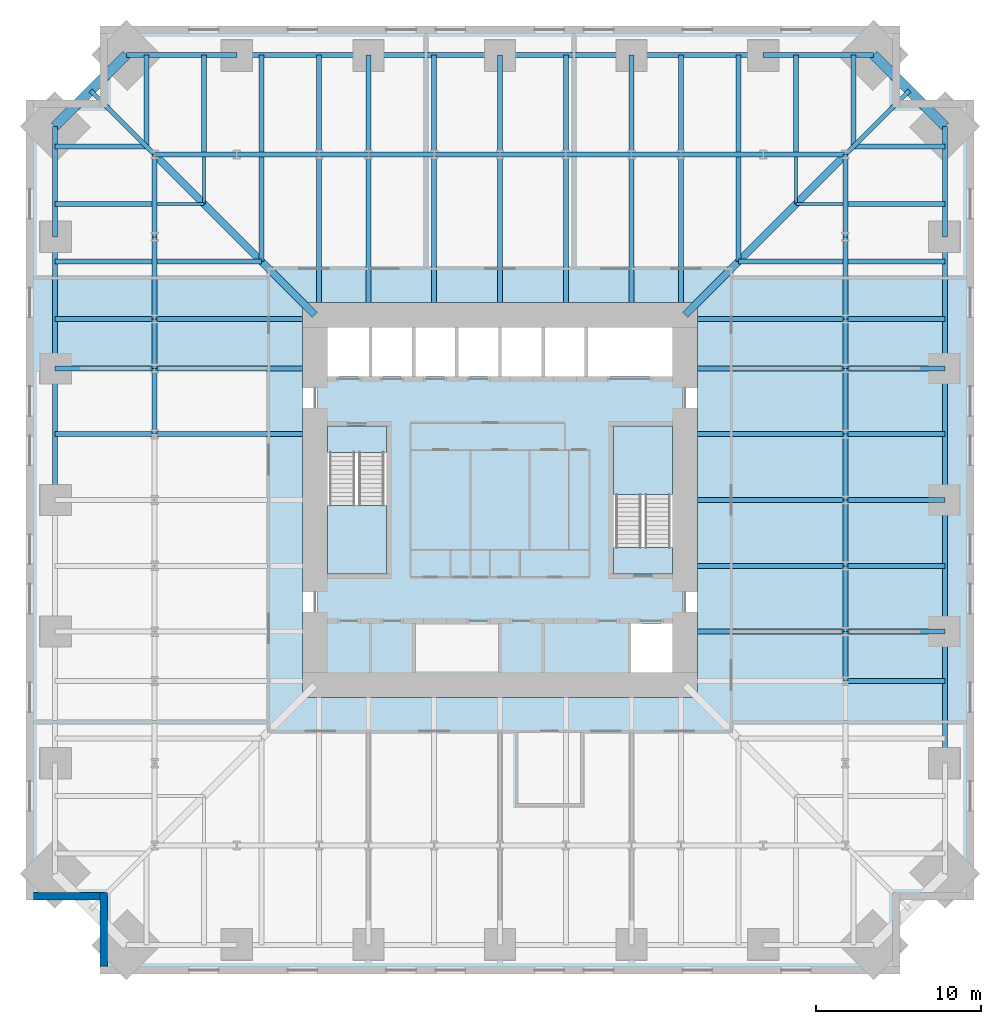
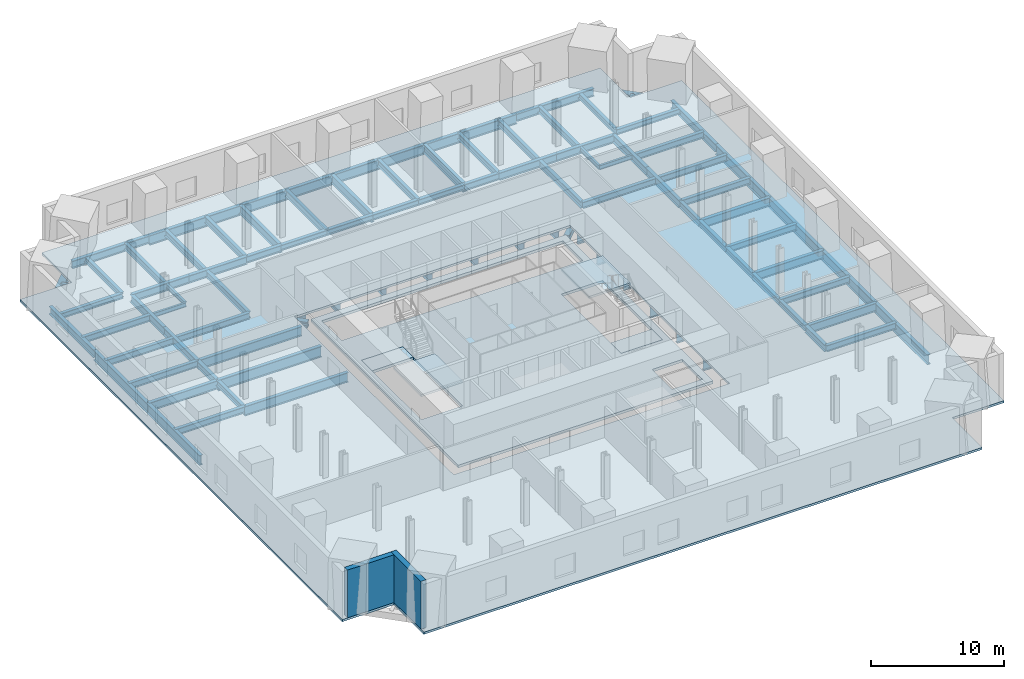
# One storey, part 2 of 8: 95 beams, 6 slabs, 2 walls, 2 elements without a shape of their own.
"""IFC4 building model written with IfcOpenShell, lengths in metres."""

from ifc_helpers import new_model, si_unit, direction, frame, frame_2d, origin, origin_2d, place, context, subcontext, project, spatial, polyline, rectangle, hollow_rectangle, i_section, outline, extrude, material, layer, layer_set, material_profile, profile_set, type_object, element, aggregate, save


model = new_model("IFC4")

# Units and contexts
model_context = context("Model", 3, precision=1e-05, world=origin(), true_north=direction((0.0, 1.0)))
body_context = subcontext(model_context, "Body", "Model", "MODEL_VIEW")
ifc_project = project(units=[si_unit("LENGTHUNIT", "METRE"), si_unit("AREAUNIT", "SQUARE_METRE"), si_unit("VOLUMEUNIT", "CUBIC_METRE"), si_unit("PLANEANGLEUNIT", "RADIAN"), si_unit("MASSUNIT", "GRAM", prefix="KILO")], contexts=[model_context])

# Site, building, storey
site_placement = place(None, origin())
site = spatial("IfcSite", under=ifc_project, at=site_placement, CompositionType="ELEMENT")
building_placement = place(site_placement, origin())
building = spatial("IfcBuilding", under=site, at=building_placement, Name="Peilmerk Tower", CompositionType="ELEMENT")
storey_placement = place(building_placement, frame((0.0, 0.0, 95.199951171875)))
storey = spatial("IfcBuildingStorey", under=building, at=storey_placement, Name="L18", CompositionType="ELEMENT", Elevation=95.199951171875)

# Beams
ifc_material_1 = material(Name="Steel S355", Category="steel")
ifc_material_profile_1 = material_profile(ifc_material_1, i_section(OverallWidth=0.303955078125, OverallDepth=0.716064453125, WebThickness=0.02099609375, FlangeThickness=0.0400390625, at=origin_2d()), Name="HEM 700")
ifc_profile_set_1 = profile_set([ifc_material_profile_1], Name="Steel S355")
beam_type_1 = type_object("IfcBeamType", Name="B19 HEM 700 ring girder", PredefinedType="BEAM", material=ifc_profile_set_1)
for number, where, z_axis, x_axis, name in (
    (1, (21.0, 21.0, -0.557861328125), (-1.0, 0.0, 0.0), (0.0, -1.0, 0.0), "Ring girder L18"),
    (2, (16.0, 21.0, -0.557861328125), (-1.0, 0.0, 0.0), (0.0, -1.0, 0.0), "Ring girder L18"),
    (3, (-11.0, 21.0, -0.557861328125), (-1.0, 0.0, 0.0), (0.0, -1.0, 0.0), "Ring girder L18"),
    (4, (-16.0, 21.0, -0.557861328125), (-1.0, 0.0, 0.0), (0.0, -1.0, 0.0), "Ring girder L18"),
    (5, (21.0, 11.0, -0.557861328125), (0.0, 1.0, 0.0), (-1.0, 0.0, 0.0), "Ring girder L18"),
    (6, (21.0, 16.0, -0.557861328125), (0.0, 1.0, 0.0), (-1.0, 0.0, 0.0), "Ring girder L18"),
    (7, (-21.0, 21.0, -0.557861328125), (0.0, -1.0, 0.0), (1.0, 0.0, 0.0), "Ring girder L18"),
    (8, (-21.0, 16.0, -0.557861328125), (0.0, -1.0, 0.0), (1.0, 0.0, 0.0), "Ring girder L18"),
):
    element("IfcBeam", number, at=place(storey_placement, frame(where, z_axis=z_axis, x_axis=x_axis)), inside=storey, type_object=beam_type_1, Name=name, PredefinedType="BEAM", context=body_context, shape_type="SweptSolid", body=[
        extrude(i_section(OverallWidth=0.303955078125, OverallDepth=0.716064453125, WebThickness=0.02099609375, FlangeThickness=0.0400390625, at=origin_2d()), origin(), (0.0, 0.0, 1.0), 5.0),
    ])
ifc_material_profile_2 = material_profile(ifc_material_1, i_section(OverallWidth=0.302001953125, OverallDepth=0.909912109375, WebThickness=0.02099609375, FlangeThickness=0.0400390625, at=origin_2d()), Name="HEM 900")
ifc_profile_set_2 = profile_set([ifc_material_profile_2], Name="Steel S355")
beam_type_2 = type_object("IfcBeamType", Name="B2 HEM 900 edge beam", PredefinedType="SPANDREL", material=ifc_profile_set_2)
for number, where, z_axis, x_axis, name in (
    (9, (16.0, 27.05810546875, -0.655029296875), (-1.0, 0.0, 0.0), (0.0, -1.0, 0.0), "Edge beam L18"),
    (10, (8.0, 27.05810546875, -0.655029296875), (-1.0, 0.0, 0.0), (0.0, -1.0, 0.0), "Edge beam L18"),
    (11, (0.0, 27.05810546875, -0.655029296875), (-1.0, 0.0, 0.0), (0.0, -1.0, 0.0), "Edge beam L18"),
    (12, (-8.0, 27.05810546875, -0.655029296875), (-1.0, 0.0, 0.0), (0.0, -1.0, 0.0), "Edge beam L18"),
    (13, (27.05810546875, -16.0, -0.655029296875), (0.0, 1.0, 0.0), (-1.0, 0.0, 0.0), "Edge beam L18"),
    (14, (27.05810546875, -8.0, -0.655029296875), (0.0, 1.0, 0.0), (-1.0, 0.0, 0.0), "Edge beam L18"),
    (15, (27.05810546875, 0.0, -0.655029296875), (0.0, 1.0, 0.0), (-1.0, 0.0, 0.0), "Edge beam L18"),
    (16, (27.05810546875, 8.0, -0.655029296875), (0.0, 1.0, 0.0), (-1.0, 0.0, 0.0), "Edge beam L18"),
    (17, (-27.05810546875, 16.0, -0.655029296875), (0.0, -1.0, 0.0), (1.0, 0.0, 0.0), "Edge beam L18"),
    (18, (-27.05810546875, 8.0, -0.655029296875), (0.0, -1.0, 0.0), (1.0, 0.0, 0.0), "Edge beam L18"),
):
    element("IfcBeam", number, at=place(storey_placement, frame(where, z_axis=z_axis, x_axis=x_axis)), inside=storey, type_object=beam_type_2, Name=name, PredefinedType="SPANDREL", context=body_context, shape_type="SweptSolid", body=[
        extrude(i_section(OverallWidth=0.302001953125, OverallDepth=0.909912109375, WebThickness=0.02099609375, FlangeThickness=0.0400390625, at=origin_2d()), origin(), (0.0, 0.0, 1.0), 8.0),
    ])
ifc_material_2 = material(Name="Steel S460", Category="steel")
ifc_material_profile_3 = material_profile(ifc_material_2, hollow_rectangle(XDim=0.60009765625, YDim=0.60009765625, WallThickness=0.06005859375, at=origin_2d()), Name="BOX 600x600x60")
ifc_profile_set_3 = profile_set([ifc_material_profile_3], Name="Steel S460")
beam_type_3 = type_object("IfcBeamType", Name="B20 BOX 600x600x60 notch beam", PredefinedType="SPANDREL", material=ifc_profile_set_3)
for number, where, z_axis, x_axis, name in (
    (19, (22.7080078125, 27.05810546875, -0.5), (0.707106781187, -0.707106781187, 0.0), (0.707106781187, 0.707106781187, 0.0), "Notch beam L18"),
    (20, (-27.05810546875, 22.7080078125, -0.5), (0.707106781187, 0.707106781187, 0.0), (-0.707106781187, 0.707106781187, 0.0), "Notch beam L18"),
):
    element("IfcBeam", number, at=place(storey_placement, frame(where, z_axis=z_axis, x_axis=x_axis)), inside=storey, type_object=beam_type_3, Name=name, PredefinedType="SPANDREL", context=body_context, shape_type="SweptSolid", body=[
        extrude(hollow_rectangle(XDim=0.60009765625, YDim=0.60009765625, WallThickness=0.06005859375, at=origin_2d()), origin(), (0.0, 0.0, 1.0), 6.15185546875),
    ])
ifc_material_profile_4 = material_profile(ifc_material_1, i_section(OverallWidth=0.302001953125, OverallDepth=1.008056640625, WebThickness=0.02099609375, FlangeThickness=0.0400390625, at=origin_2d()), Name="HEM 1000")
ifc_profile_set_4 = profile_set([ifc_material_profile_4], Name="Steel S355")
beam_type_4 = type_object("IfcBeamType", Name="B24 HEM 1000 floor girder", PredefinedType="BEAM", material=ifc_profile_set_4)
for number, where, z_axis, x_axis, name in (
    (21, (8.0, 12.0, -0.703857421875), (0.0, 1.0, 0.0), (-1.0, 0.0, 0.0), "Floor girder L18"),
    (22, (0.0, 12.0, -0.703857421875), (0.0, 1.0, 0.0), (-1.0, 0.0, 0.0), "Floor girder L18"),
    (23, (-8.0, 12.0, -0.703857421875), (0.0, 1.0, 0.0), (-1.0, 0.0, 0.0), "Floor girder L18"),
    (24, (12.0, -8.0, -0.703857421875), (1.0, 0.0, 0.0), (0.0, 1.0, 0.0), "Floor girder L18"),
    (25, (12.0, 0.0, -0.703857421875), (1.0, 0.0, 0.0), (0.0, 1.0, 0.0), "Floor girder L18"),
    (26, (12.0, 8.0, -0.703857421875), (1.0, 0.0, 0.0), (0.0, 1.0, 0.0), "Floor girder L18"),
    (27, (-12.0, 8.0, -0.703857421875), (-1.0, 0.0, 0.0), (0.0, -1.0, 0.0), "Floor girder L18"),
):
    element("IfcBeam", number, at=place(storey_placement, frame(where, z_axis=z_axis, x_axis=x_axis)), inside=storey, type_object=beam_type_4, Name=name, PredefinedType="BEAM", context=body_context, shape_type="SweptSolid", body=[
        extrude(i_section(OverallWidth=0.302001953125, OverallDepth=1.008056640625, WebThickness=0.02099609375, FlangeThickness=0.0400390625, at=origin_2d()), origin(), (0.0, 0.0, 1.0), 9.0),
    ])
ifc_material_profile_5 = material_profile(ifc_material_1, i_section(OverallWidth=0.300048828125, OverallDepth=0.590087890625, WebThickness=0.012939453125, FlangeThickness=0.02490234375, at=origin_2d()), Name="HEA 600")
ifc_profile_set_5 = profile_set([ifc_material_profile_5], Name="Steel S355")
beam_type_5 = type_object("IfcBeamType", Name="B27 HEA 600 floor beam", PredefinedType="BEAM", material=ifc_profile_set_5)
for number, where, z_axis, x_axis, name in (
    (28, (11.0, 21.0, -0.494873046875), (0.0, 1.0, 0.0), (-1.0, 0.0, 0.0), "Floor beam L18"),
    (29, (4.0, 21.0, -0.494873046875), (0.0, 1.0, 0.0), (-1.0, 0.0, 0.0), "Floor beam L18"),
    (30, (-4.0, 21.0, -0.494873046875), (0.0, 1.0, 0.0), (-1.0, 0.0, 0.0), "Floor beam L18"),
    (31, (-11.0, 21.0, -0.494873046875), (0.0, 1.0, 0.0), (-1.0, 0.0, 0.0), "Floor beam L18"),
    (32, (21.0, -11.0, -0.494873046875), (1.0, 0.0, 0.0), (0.0, 1.0, 0.0), "Floor beam L18"),
    (33, (21.0, -4.0, -0.494873046875), (1.0, 0.0, 0.0), (0.0, 1.0, 0.0), "Floor beam L18"),
    (34, (21.0, 4.0, -0.494873046875), (1.0, 0.0, 0.0), (0.0, 1.0, 0.0), "Floor beam L18"),
    (35, (21.0, 11.0, -0.494873046875), (1.0, 0.0, 0.0), (0.0, 1.0, 0.0), "Floor beam L18"),
    (36, (-21.0, 11.0, -0.494873046875), (-1.0, 0.0, 0.0), (0.0, -1.0, 0.0), "Floor beam L18"),
    (37, (-21.0, 4.0, -0.494873046875), (-1.0, 0.0, 0.0), (0.0, -1.0, 0.0), "Floor beam L18"),
):
    element("IfcBeam", number, at=place(storey_placement, frame(where, z_axis=z_axis, x_axis=x_axis)), inside=storey, type_object=beam_type_5, Name=name, PredefinedType="BEAM", context=body_context, shape_type="SweptSolid", body=[
        extrude(i_section(OverallWidth=0.300048828125, OverallDepth=0.590087890625, WebThickness=0.012939453125, FlangeThickness=0.02490234375, at=origin_2d()), origin(), (0.0, 0.0, 1.0), 6.05810546875),
    ])
beam_1_placement = place(storey_placement, frame((14.5, 14.5, -0.494873046875), z_axis=(0.0, 1.0, 0.0), x_axis=(-1.0, 0.0, 0.0)))
element("IfcBeam", 38, at=beam_1_placement, inside=storey, type_object=beam_type_5, Name="Floor beam L18", PredefinedType="BEAM", context=body_context, shape_type="SweptSolid", body=[
    extrude(i_section(OverallWidth=0.300048828125, OverallDepth=0.590087890625, WebThickness=0.012939453125, FlangeThickness=0.02490234375, at=origin_2d()), origin(), (0.0, 0.0, 1.0), 6.347900390625),
])
beam_2_placement = place(storey_placement, frame((14.5, 21.152099609375, -0.494873046875), z_axis=(0.0, 1.0, 0.0), x_axis=(-1.0, 0.0, 0.0)))
element("IfcBeam", 39, at=beam_2_placement, inside=storey, type_object=beam_type_5, Name="Floor beam L18", PredefinedType="BEAM", context=body_context, shape_type="SweptSolid", body=[
    extrude(i_section(OverallWidth=0.300048828125, OverallDepth=0.590087890625, WebThickness=0.012939453125, FlangeThickness=0.02490234375, at=origin_2d()), origin(), (0.0, 0.0, 1.0), 5.906005859375),
])
beam_3_placement = place(storey_placement, frame((14.5, 14.5, -0.494873046875), z_axis=(1.0, 0.0, 0.0), x_axis=(0.0, 1.0, 0.0)))
element("IfcBeam", 40, at=beam_3_placement, inside=storey, type_object=beam_type_5, Name="Floor beam L18", PredefinedType="BEAM", context=body_context, shape_type="SweptSolid", body=[
    extrude(i_section(OverallWidth=0.300048828125, OverallDepth=0.590087890625, WebThickness=0.012939453125, FlangeThickness=0.02490234375, at=origin_2d()), origin(), (0.0, 0.0, 1.0), 6.347900390625),
])
for number, where, z_axis, x_axis, name in (
    (41, (21.152099609375, 14.5, -0.494873046875), (1.0, 0.0, 0.0), (0.0, 1.0, 0.0), "Floor beam L18"),
    (42, (18.0, 21.152099609375, -0.494873046875), (0.0, 1.0, 0.0), (-1.0, 0.0, 0.0), "Floor beam L18"),
    (43, (21.152099609375, 18.0, -0.494873046875), (1.0, 0.0, 0.0), (0.0, 1.0, 0.0), "Floor beam L18"),
):
    element("IfcBeam", number, at=place(storey_placement, frame(where, z_axis=z_axis, x_axis=x_axis)), inside=storey, type_object=beam_type_5, Name=name, PredefinedType="BEAM", context=body_context, shape_type="SweptSolid", body=[
        extrude(i_section(OverallWidth=0.300048828125, OverallDepth=0.590087890625, WebThickness=0.012939453125, FlangeThickness=0.02490234375, at=origin_2d()), origin(), (0.0, 0.0, 1.0), 5.906005859375),
    ])
beam_4_placement = place(storey_placement, frame((-14.5, 14.5, -0.494873046875), z_axis=(0.0, 1.0, 0.0), x_axis=(-1.0, 0.0, 0.0)))
element("IfcBeam", 44, at=beam_4_placement, inside=storey, type_object=beam_type_5, Name="Floor beam L18", PredefinedType="BEAM", context=body_context, shape_type="SweptSolid", body=[
    extrude(i_section(OverallWidth=0.300048828125, OverallDepth=0.590087890625, WebThickness=0.012939453125, FlangeThickness=0.02490234375, at=origin_2d()), origin(), (0.0, 0.0, 1.0), 6.347900390625),
])
beam_5_placement = place(storey_placement, frame((-14.5, 21.152099609375, -0.494873046875), z_axis=(0.0, 1.0, 0.0), x_axis=(-1.0, 0.0, 0.0)))
element("IfcBeam", 45, at=beam_5_placement, inside=storey, type_object=beam_type_5, Name="Floor beam L18", PredefinedType="BEAM", context=body_context, shape_type="SweptSolid", body=[
    extrude(i_section(OverallWidth=0.300048828125, OverallDepth=0.590087890625, WebThickness=0.012939453125, FlangeThickness=0.02490234375, at=origin_2d()), origin(), (0.0, 0.0, 1.0), 5.906005859375),
])
beam_6_placement = place(storey_placement, frame((-14.5, 14.5, -0.494873046875), z_axis=(-1.0, 0.0, 0.0), x_axis=(0.0, -1.0, 0.0)))
element("IfcBeam", 46, at=beam_6_placement, inside=storey, type_object=beam_type_5, Name="Floor beam L18", PredefinedType="BEAM", context=body_context, shape_type="SweptSolid", body=[
    extrude(i_section(OverallWidth=0.300048828125, OverallDepth=0.590087890625, WebThickness=0.012939453125, FlangeThickness=0.02490234375, at=origin_2d()), origin(), (0.0, 0.0, 1.0), 6.347900390625),
])
for number, where, z_axis, x_axis, name in (
    (47, (-21.152099609375, 14.5, -0.494873046875), (-1.0, 0.0, 0.0), (0.0, -1.0, 0.0), "Floor beam L18"),
    (48, (-18.0, 21.152099609375, -0.494873046875), (0.0, 1.0, 0.0), (-1.0, 0.0, 0.0), "Floor beam L18"),
    (49, (-21.152099609375, 18.0, -0.494873046875), (-1.0, 0.0, 0.0), (0.0, -1.0, 0.0), "Floor beam L18"),
):
    element("IfcBeam", number, at=place(storey_placement, frame(where, z_axis=z_axis, x_axis=x_axis)), inside=storey, type_object=beam_type_5, Name=name, PredefinedType="BEAM", context=body_context, shape_type="SweptSolid", body=[
        extrude(i_section(OverallWidth=0.300048828125, OverallDepth=0.590087890625, WebThickness=0.012939453125, FlangeThickness=0.02490234375, at=origin_2d()), origin(), (0.0, 0.0, 1.0), 5.906005859375),
    ])
ifc_material_profile_6 = material_profile(ifc_material_1, i_section(OverallWidth=0.179931640625, OverallDepth=0.39990234375, WebThickness=0.008544921875, FlangeThickness=0.013427734375, at=origin_2d()), Name="IPE 400")
ifc_profile_set_6 = profile_set([ifc_material_profile_6], Name="Steel S355")
beam_type_6 = type_object("IfcBeamType", Name="B28 IPE 400 floor beam", PredefinedType="BEAM", material=ifc_profile_set_6)
for number, where, z_axis, x_axis, name in (
    (50, (18.0, 18.0, -0.39990234375), (0.0, 1.0, 0.0), (-1.0, 0.0, 0.0), "Floor beam L18"),
    (51, (18.0, 18.0, -0.39990234375), (1.0, 0.0, 0.0), (0.0, 1.0, 0.0), "Floor beam L18"),
    (52, (-18.0, 18.0, -0.39990234375), (0.0, 1.0, 0.0), (-1.0, 0.0, 0.0), "Floor beam L18"),
    (53, (-18.0, 18.0, -0.39990234375), (-1.0, 0.0, 0.0), (0.0, -1.0, 0.0), "Floor beam L18"),
):
    element("IfcBeam", number, at=place(storey_placement, frame(where, z_axis=z_axis, x_axis=x_axis)), inside=storey, type_object=beam_type_6, Name=name, PredefinedType="BEAM", context=body_context, shape_type="SweptSolid", body=[
        extrude(i_section(OverallWidth=0.179931640625, OverallDepth=0.39990234375, WebThickness=0.008544921875, FlangeThickness=0.013427734375, at=origin_2d()), origin(), (0.0, 0.0, 1.0), 2.847900390625),
    ])
ifc_material_profile_7 = material_profile(ifc_material_1, i_section(OverallWidth=0.300048828125, OverallDepth=0.489990234375, WebThickness=0.011962890625, FlangeThickness=0.02294921875, at=origin_2d()), Name="HEA 500")
ifc_profile_set_7 = profile_set([ifc_material_profile_7], Name="Steel S355")
beam_type_7 = type_object("IfcBeamType", Name="B29 HEA 500 floor beam", PredefinedType="BEAM", material=ifc_profile_set_7)
for number, where, z_axis, x_axis, name in (
    (54, (21.5, 21.5, -0.445068359375), (0.0, 1.0, 0.0), (-1.0, 0.0, 0.0), "Floor beam L18"),
    (55, (21.5, 21.5, -0.445068359375), (1.0, 0.0, 0.0), (0.0, 1.0, 0.0), "Floor beam L18"),
    (56, (-21.5, 21.5, -0.445068359375), (0.0, 1.0, 0.0), (-1.0, 0.0, 0.0), "Floor beam L18"),
    (57, (-21.5, 21.5, -0.445068359375), (-1.0, 0.0, 0.0), (0.0, -1.0, 0.0), "Floor beam L18"),
):
    element("IfcBeam", number, at=place(storey_placement, frame(where, z_axis=z_axis, x_axis=x_axis)), inside=storey, type_object=beam_type_7, Name=name, PredefinedType="BEAM", context=body_context, shape_type="SweptSolid", body=[
        extrude(i_section(OverallWidth=0.300048828125, OverallDepth=0.489990234375, WebThickness=0.011962890625, FlangeThickness=0.02294921875, at=origin_2d()), origin(), (0.0, 0.0, 1.0), 5.55810546875),
    ])
ifc_material_profile_8 = material_profile(ifc_material_1, i_section(OverallWidth=0.300048828125, OverallDepth=0.7900390625, WebThickness=0.014892578125, FlangeThickness=0.028076171875, at=origin_2d()), Name="HEA 800")
ifc_profile_set_8 = profile_set([ifc_material_profile_8], Name="Steel S355")
beam_type_8 = type_object("IfcBeamType", Name="B3 HEA 800 floor beam", PredefinedType="BEAM", material=ifc_profile_set_8)
for number, where, z_axis, x_axis, name in (
    (58, (8.0, 21.0, -0.594970703125), (0.0, 1.0, 0.0), (-1.0, 0.0, 0.0), "Floor girder L18"),
    (59, (0.0, 21.0, -0.594970703125), (0.0, 1.0, 0.0), (-1.0, 0.0, 0.0), "Floor girder L18"),
    (60, (-8.0, 21.0, -0.594970703125), (0.0, 1.0, 0.0), (-1.0, 0.0, 0.0), "Floor girder L18"),
    (61, (21.0, -8.0, -0.594970703125), (1.0, 0.0, 0.0), (0.0, 1.0, 0.0), "Floor girder L18"),
    (62, (21.0, 0.0, -0.594970703125), (1.0, 0.0, 0.0), (0.0, 1.0, 0.0), "Floor girder L18"),
    (63, (21.0, 8.0, -0.594970703125), (1.0, 0.0, 0.0), (0.0, 1.0, 0.0), "Floor girder L18"),
    (64, (-21.0, 8.0, -0.594970703125), (-1.0, 0.0, 0.0), (0.0, -1.0, 0.0), "Floor girder L18"),
):
    element("IfcBeam", number, at=place(storey_placement, frame(where, z_axis=z_axis, x_axis=x_axis)), inside=storey, type_object=beam_type_8, Name=name, PredefinedType="BEAM", context=body_context, shape_type="SweptSolid", body=[
        extrude(i_section(OverallWidth=0.300048828125, OverallDepth=0.7900390625, WebThickness=0.014892578125, FlangeThickness=0.028076171875, at=origin_2d()), origin(), (0.0, 0.0, 1.0), 6.05810546875),
    ])
for number, where, z_axis, x_axis, name in (
    (65, (21.0, 21.0, -0.594970703125), (0.707106781187, 0.707106781187, 0.0), (-0.707106781187, 0.707106781187, 0.0), "Corner girder L18"),
    (66, (-21.0, 21.0, -0.594970703125), (-0.707106781187, 0.707106781187, 0.0), (-0.707106781187, -0.707106781187, 0.0), "Corner girder L18"),
):
    element("IfcBeam", number, at=place(storey_placement, frame(where, z_axis=z_axis, x_axis=x_axis)), inside=storey, type_object=beam_type_8, Name=name, PredefinedType="BEAM", context=body_context, shape_type="SweptSolid", body=[
        extrude(i_section(OverallWidth=0.300048828125, OverallDepth=0.7900390625, WebThickness=0.014892578125, FlangeThickness=0.028076171875, at=origin_2d()), origin(), (0.0, 0.0, 1.0), 5.491455078125),
    ])
ifc_material_profile_9 = material_profile(ifc_material_1, i_section(OverallWidth=0.303955078125, OverallDepth=0.716064453125, WebThickness=0.02099609375, FlangeThickness=0.0400390625, at=origin_2d()), Name="HEM 700")
ifc_profile_set_9 = profile_set([ifc_material_profile_9], Name="Steel S355")
beam_type_9 = type_object("IfcBeamType", Name="B30 HEM 700 edge beam", PredefinedType="SPANDREL", material=ifc_profile_set_9)
for number, where, z_axis, x_axis, name in (
    (67, (22.7080078125, 27.05810546875, -0.557861328125), (-1.0, 0.0, 0.0), (0.0, -1.0, 0.0), "Edge beam L18"),
    (68, (-16.0, 27.05810546875, -0.557861328125), (-1.0, 0.0, 0.0), (0.0, -1.0, 0.0), "Edge beam L18"),
    (69, (27.05810546875, 16.0, -0.557861328125), (0.0, 1.0, 0.0), (-1.0, 0.0, 0.0), "Edge beam L18"),
    (70, (-27.05810546875, 22.7080078125, -0.557861328125), (0.0, -1.0, 0.0), (1.0, 0.0, 0.0), "Edge beam L18"),
):
    element("IfcBeam", number, at=place(storey_placement, frame(where, z_axis=z_axis, x_axis=x_axis)), inside=storey, type_object=beam_type_9, Name=name, PredefinedType="SPANDREL", context=body_context, shape_type="SweptSolid", body=[
        extrude(i_section(OverallWidth=0.303955078125, OverallDepth=0.716064453125, WebThickness=0.02099609375, FlangeThickness=0.0400390625, at=origin_2d()), origin(), (0.0, 0.0, 1.0), 6.7080078125),
    ])
ifc_material_profile_10 = material_profile(ifc_material_1, i_section(OverallWidth=0.300048828125, OverallDepth=0.889892578125, WebThickness=0.01611328125, FlangeThickness=0.030029296875, at=origin_2d()), Name="HEA 900")
ifc_profile_set_10 = profile_set([ifc_material_profile_10], Name="Steel S355")
beam_type_10 = type_object("IfcBeamType", Name="B4 HEA 900 floor beam", PredefinedType="BEAM", material=ifc_profile_set_10)
for number, where, z_axis, x_axis, name in (
    (71, (11.0, 12.0, -0.64501953125), (0.0, 1.0, 0.0), (-1.0, 0.0, 0.0), "Floor beam L18"),
    (72, (4.0, 12.0, -0.64501953125), (0.0, 1.0, 0.0), (-1.0, 0.0, 0.0), "Floor beam L18"),
    (73, (-4.0, 12.0, -0.64501953125), (0.0, 1.0, 0.0), (-1.0, 0.0, 0.0), "Floor beam L18"),
    (74, (-11.0, 12.0, -0.64501953125), (0.0, 1.0, 0.0), (-1.0, 0.0, 0.0), "Floor beam L18"),
    (75, (12.0, -4.0, -0.64501953125), (1.0, 0.0, 0.0), (0.0, 1.0, 0.0), "Floor beam L18"),
    (76, (12.0, 4.0, -0.64501953125), (1.0, 0.0, 0.0), (0.0, 1.0, 0.0), "Floor beam L18"),
    (77, (12.0, 11.0, -0.64501953125), (1.0, 0.0, 0.0), (0.0, 1.0, 0.0), "Floor beam L18"),
    (78, (-12.0, 11.0, -0.64501953125), (-1.0, 0.0, 0.0), (0.0, -1.0, 0.0), "Floor beam L18"),
    (79, (-12.0, 4.0, -0.64501953125), (-1.0, 0.0, 0.0), (0.0, -1.0, 0.0), "Floor beam L18"),
):
    element("IfcBeam", number, at=place(storey_placement, frame(where, z_axis=z_axis, x_axis=x_axis)), inside=storey, type_object=beam_type_10, Name=name, PredefinedType="BEAM", context=body_context, shape_type="SweptSolid", body=[
        extrude(i_section(OverallWidth=0.300048828125, OverallDepth=0.889892578125, WebThickness=0.01611328125, FlangeThickness=0.030029296875, at=origin_2d()), origin(), (0.0, 0.0, 1.0), 9.0),
    ])
ifc_material_profile_11 = material_profile(ifc_material_1, i_section(OverallWidth=0.304931640625, OverallDepth=0.6201171875, WebThickness=0.02099609375, FlangeThickness=0.0400390625, at=origin_2d()), Name="HEM 600")
ifc_profile_set_11 = profile_set([ifc_material_profile_11], Name="Steel S355")
beam_type_11 = type_object("IfcBeamType", Name="B6 HEM 600 ring girder", PredefinedType="BEAM", material=ifc_profile_set_11)
for number, where, z_axis, x_axis, name in (
    (80, (11.0, 21.0, -0.510009765625), (-1.0, 0.0, 0.0), (0.0, -1.0, 0.0), "Ring girder L18"),
    (81, (-8.0, 21.0, -0.510009765625), (-1.0, 0.0, 0.0), (0.0, -1.0, 0.0), "Ring girder L18"),
    (82, (21.0, -11.0, -0.510009765625), (0.0, 1.0, 0.0), (-1.0, 0.0, 0.0), "Ring girder L18"),
    (83, (21.0, 8.0, -0.510009765625), (0.0, 1.0, 0.0), (-1.0, 0.0, 0.0), "Ring girder L18"),
    (84, (-21.0, 11.0, -0.510009765625), (0.0, -1.0, 0.0), (1.0, 0.0, 0.0), "Ring girder L18"),
):
    element("IfcBeam", number, at=place(storey_placement, frame(where, z_axis=z_axis, x_axis=x_axis)), inside=storey, type_object=beam_type_11, Name=name, PredefinedType="BEAM", context=body_context, shape_type="SweptSolid", body=[
        extrude(i_section(OverallWidth=0.304931640625, OverallDepth=0.6201171875, WebThickness=0.02099609375, FlangeThickness=0.0400390625, at=origin_2d()), origin(), (0.0, 0.0, 1.0), 3.0),
    ])
ifc_material_profile_12 = material_profile(ifc_material_1, i_section(OverallWidth=0.305908203125, OverallDepth=0.52392578125, WebThickness=0.02099609375, FlangeThickness=0.0400390625, at=origin_2d()), Name="HEM 500")
ifc_profile_set_12 = profile_set([ifc_material_profile_12], Name="Steel S355")
beam_type_12 = type_object("IfcBeamType", Name="B7 HEM 500 ring girder", PredefinedType="BEAM", material=ifc_profile_set_12)
for number, where, z_axis, x_axis, name in (
    (85, (8.0, 21.0, -0.4619140625), (-1.0, 0.0, 0.0), (0.0, -1.0, 0.0), "Ring girder L18"),
    (86, (4.0, 21.0, -0.4619140625), (-1.0, 0.0, 0.0), (0.0, -1.0, 0.0), "Ring girder L18"),
    (87, (0.0, 21.0, -0.4619140625), (-1.0, 0.0, 0.0), (0.0, -1.0, 0.0), "Ring girder L18"),
    (88, (-4.0, 21.0, -0.4619140625), (-1.0, 0.0, 0.0), (0.0, -1.0, 0.0), "Ring girder L18"),
    (89, (21.0, -8.0, -0.4619140625), (0.0, 1.0, 0.0), (-1.0, 0.0, 0.0), "Ring girder L18"),
    (90, (21.0, -4.0, -0.4619140625), (0.0, 1.0, 0.0), (-1.0, 0.0, 0.0), "Ring girder L18"),
    (91, (21.0, 0.0, -0.4619140625), (0.0, 1.0, 0.0), (-1.0, 0.0, 0.0), "Ring girder L18"),
    (92, (21.0, 4.0, -0.4619140625), (0.0, 1.0, 0.0), (-1.0, 0.0, 0.0), "Ring girder L18"),
    (93, (-21.0, 8.0, -0.4619140625), (0.0, -1.0, 0.0), (1.0, 0.0, 0.0), "Ring girder L18"),
):
    element("IfcBeam", number, at=place(storey_placement, frame(where, z_axis=z_axis, x_axis=x_axis)), inside=storey, type_object=beam_type_12, Name=name, PredefinedType="BEAM", context=body_context, shape_type="SweptSolid", body=[
        extrude(i_section(OverallWidth=0.305908203125, OverallDepth=0.52392578125, WebThickness=0.02099609375, FlangeThickness=0.0400390625, at=origin_2d()), origin(), (0.0, 0.0, 1.0), 4.0),
    ])
ifc_material_profile_13 = material_profile(ifc_material_2, i_section(OverallWidth=0.4541015625, OverallDepth=0.569091796875, WebThickness=0.077880859375, FlangeThickness=0.125, at=origin_2d()), Name="HD 400x1086")
ifc_profile_set_13 = profile_set([ifc_material_profile_13], Name="Steel S460")
beam_type_13 = type_object("IfcBeamType", Name="B9 HD 400x1086 corner girder", PredefinedType="BEAM", material=ifc_profile_set_13)
for number, where, z_axis, x_axis, name in (
    (94, (11.25, 11.25, -0.484375), (0.707106781187, 0.707106781187, 0.0), (-0.707106781187, 0.707106781187, 0.0), "Corner girder L18"),
    (95, (-11.25, 11.25, -0.484375), (-0.707106781187, 0.707106781187, 0.0), (-0.707106781187, -0.707106781187, 0.0), "Corner girder L18"),
):
    element("IfcBeam", number, at=place(storey_placement, frame(where, z_axis=z_axis, x_axis=x_axis)), inside=storey, type_object=beam_type_13, Name=name, PredefinedType="BEAM", context=body_context, shape_type="SweptSolid", body=[
        extrude(i_section(OverallWidth=0.4541015625, OverallDepth=0.569091796875, WebThickness=0.077880859375, FlangeThickness=0.125, at=origin_2d()), origin(), (0.0, 0.0, 1.0), 13.78857421875),
    ])

# Slabs
ifc_material_3 = material(Name="Concrete C55/67", Category="concrete")
ifc_layer_1 = layer(ifc_material_3, 0.25)
ifc_layer_set_1 = layer_set([ifc_layer_1], Name="Concrete C55/67")
slab_type_1 = type_object("IfcSlabType", Name="CS250 250 core floor slab", PredefinedType="FLOOR", material=ifc_layer_set_1)
slab_1_placement = place(storey_placement, frame((0.0, 0.0, -0.25)))
element("IfcSlab", 96, at=slab_1_placement, inside=storey, type_object=slab_type_1, Name="Core slab L18", PredefinedType="FLOOR", context=body_context, shape_type="SweptSolid", body=[
    extrude(outline(polyline([(-11.10009765625, 11.10009765625), (-11.10009765625, -11.10009765625), (11.10009765625, -11.10009765625), (11.10009765625, 11.10009765625), (-11.10009765625, 11.10009765625)]), holes=[polyline([(10.5, 7.5), (-10.5, 7.5), (-10.5, 10.5), (10.5, 10.5), (10.5, 7.5)]), polyline([(7.875, -10.5), (7.875, -7.5), (10.5, -7.5), (10.5, -10.5), (7.875, -10.5)]), polyline([(-10.5, 4.5), (-6.89990234375, 4.5), (-6.89990234375, -4.5), (-10.5, -4.5), (-10.5, 4.5)]), polyline([(10.5, 4.5), (10.5, -4.5), (6.89990234375, -4.5), (6.89990234375, 4.5), (10.5, 4.5)])]), origin(), (0.0, 0.0, 1.0), 0.25),
])
ifc_material_4 = material(Name="Concrete C35/45", Category="concrete")
ifc_layer_2 = layer(ifc_material_4, 0.199951171875)
ifc_layer_set_2 = layer_set([ifc_layer_2], Name="Concrete C35/45")
slab_type_2 = type_object("IfcSlabType", Name="FS200 200 composite floor slab", PredefinedType="FLOOR", material=ifc_layer_set_2)
slab_2_placement = place(storey_placement, frame((0.0, 0.0, -0.199951171875)))
element("IfcSlab", 97, at=slab_2_placement, inside=storey, type_object=slab_type_2, Name="Floor slab L18", PredefinedType="FLOOR", context=body_context, shape_type="SweptSolid", body=[
    extrude(outline(polyline([(-24.300048828125, -28.800048828125), (24.300048828125, -28.800048828125), (24.300048828125, -24.300048828125), (28.800048828125, -24.300048828125), (28.800048828125, 24.300048828125), (24.300048828125, 24.300048828125), (24.300048828125, 28.800048828125), (-24.300048828125, 28.800048828125), (-24.300048828125, 24.300048828125), (-28.800048828125, 24.300048828125), (-28.800048828125, -24.300048828125), (-24.300048828125, -24.300048828125), (-24.300048828125, -28.800048828125)]), holes=[polyline([(12.0, 12.0), (12.0, -12.0), (-12.0, -12.0), (-12.0, 12.0), (12.0, 12.0)])]), origin(), (0.0, 0.0, 1.0), 0.199951171875),
])

# Stair, slab
ifc_material_5 = material(Name="Precast concrete C45/55", Category="concrete")
stair_type_1 = type_object("IfcStairType", Name="ST1 26 risers of 176.9", PredefinedType="HALF_TURN_STAIR", material=ifc_material_5)
stair_1_placement = place(storey_placement, origin())
stair_1 = element("IfcStair", 98, at=stair_1_placement, inside=storey, type_object=stair_type_1, Name="Stair 1 L18 to L19", PredefinedType="HALF_TURN_STAIR")
ifc_layer_3 = layer(ifc_material_4, 0.199951171875)
ifc_layer_set_3 = layer_set([ifc_layer_3], Name="Concrete C35/45")
slab_type_3 = type_object("IfcSlabType", Name="SL1 200 concrete stair landing", PredefinedType="LANDING", material=ifc_layer_set_3)
slab_3_placement = place(storey_placement, frame((0.0, 0.0, 2.10009765625)))
slab_3 = element("IfcSlab", 99, at=slab_3_placement, type_object=slab_type_3, Name="ST1 landing 1", PredefinedType="LANDING", context=body_context, shape_type="SweptSolid", body=[
    extrude(outline(polyline([(-10.5, -4.5), (-6.89990234375, -4.5), (-6.89990234375, -0.340087890625), (-10.5, -0.340087890625), (-10.5, -4.5)])), origin(), (0.0, 0.0, 1.0), 0.199951171875),
])

stair_type_2 = type_object("IfcStairType", Name="ST2 26 risers of 176.9", PredefinedType="HALF_TURN_STAIR", material=ifc_material_5)
stair_2_placement = place(storey_placement, origin())
stair_2 = element("IfcStair", 100, at=stair_2_placement, inside=storey, type_object=stair_type_2, Name="Stair 2 L18 to L19", PredefinedType="HALF_TURN_STAIR")
slab_4_placement = place(storey_placement, frame((0.0, 0.0, 2.10009765625)))
slab_4 = element("IfcSlab", 101, at=slab_4_placement, type_object=slab_type_3, Name="ST2 landing 1", PredefinedType="LANDING", context=body_context, shape_type="SweptSolid", body=[
    extrude(outline(polyline([(6.89990234375, 0.340087890625), (10.5, 0.340087890625), (10.5, 4.5), (6.89990234375, 4.5), (6.89990234375, 0.340087890625)])), origin(), (0.0, 0.0, 1.0), 0.199951171875),
])

# Slab
ifc_layer_4 = layer(ifc_material_4, 0.25)
ifc_layer_set_4 = layer_set([ifc_layer_4], Name="Concrete C35/45")
slab_type_4 = type_object("IfcSlabType", Name="SL2 250 concrete floor landing", PredefinedType="LANDING", material=ifc_layer_set_4)
slab_5_placement = place(storey_placement, frame((0.0, 0.0, -0.25)))
slab_5 = element("IfcSlab", 102, at=slab_5_placement, type_object=slab_type_4, Name="ST1 floor landing", PredefinedType="LANDING", context=body_context, shape_type="SweptSolid", body=[
    extrude(outline(polyline([(-10.5, 2.89990234375), (-6.89990234375, 2.89990234375), (-6.89990234375, 4.5), (-10.5, 4.5), (-10.5, 2.89990234375)])), origin(), (0.0, 0.0, 1.0), 0.25),
])

aggregate(stair_1, [slab_3, slab_5])

slab_6_placement = place(storey_placement, frame((0.0, 0.0, -0.25)))
slab_6 = element("IfcSlab", 103, at=slab_6_placement, type_object=slab_type_4, Name="ST2 floor landing", PredefinedType="LANDING", context=body_context, shape_type="SweptSolid", body=[
    extrude(outline(polyline([(6.89990234375, -4.5), (10.5, -4.5), (10.5, -2.89990234375), (6.89990234375, -2.89990234375), (6.89990234375, -4.5)])), origin(), (0.0, 0.0, 1.0), 0.25),
])

aggregate(stair_2, [slab_4, slab_6])

# Walls
ifc_material_6 = material(Name="Precast concrete C45/55, board-marked finish", Category="concrete")
ifc_layer_5 = layer(ifc_material_6, 0.449951171875)
ifc_layer_set_5 = layer_set([ifc_layer_5], Name="Precast concrete C45/55, board-marked finish")
wall_type = type_object("IfcWallType", Name="EW1 450 precast concrete facade wall, board-marked", PredefinedType="SOLIDWALL", material=ifc_layer_set_5)
wall_1_placement = place(storey_placement, frame((-24.074951171875, -23.85009765625, 0.0), z_axis=(0.0, 0.0, 1.0), x_axis=(0.0, -1.0, 0.0)))
element("IfcWall", 104, at=wall_1_placement, inside=storey, type_object=wall_type, Name="Facade wall SWA L18", PredefinedType="SOLIDWALL", context=body_context, shape_type="SweptSolid", body=[
    extrude(rectangle(XDim=4.5, YDim=0.449951171875, at=frame_2d((2.25, 0.0))), origin(), (0.0, 0.0, 1.0), 4.400146484375),
])
wall_2_placement = place(storey_placement, frame((-24.300048828125, -24.074951171875, 0.0), z_axis=(0.0, 0.0, 1.0), x_axis=(-1.0, 0.0, 0.0)))
element("IfcWall", 105, at=wall_2_placement, inside=storey, type_object=wall_type, Name="Facade wall SWB L18", PredefinedType="SOLIDWALL", context=body_context, shape_type="SweptSolid", body=[
    extrude(rectangle(XDim=4.050048828125, YDim=0.449951171875, at=frame_2d((2.02490234375, 0.0))), origin(), (0.0, 0.0, 1.0), 4.400146484375),
])

save(model, "model.ifc")
